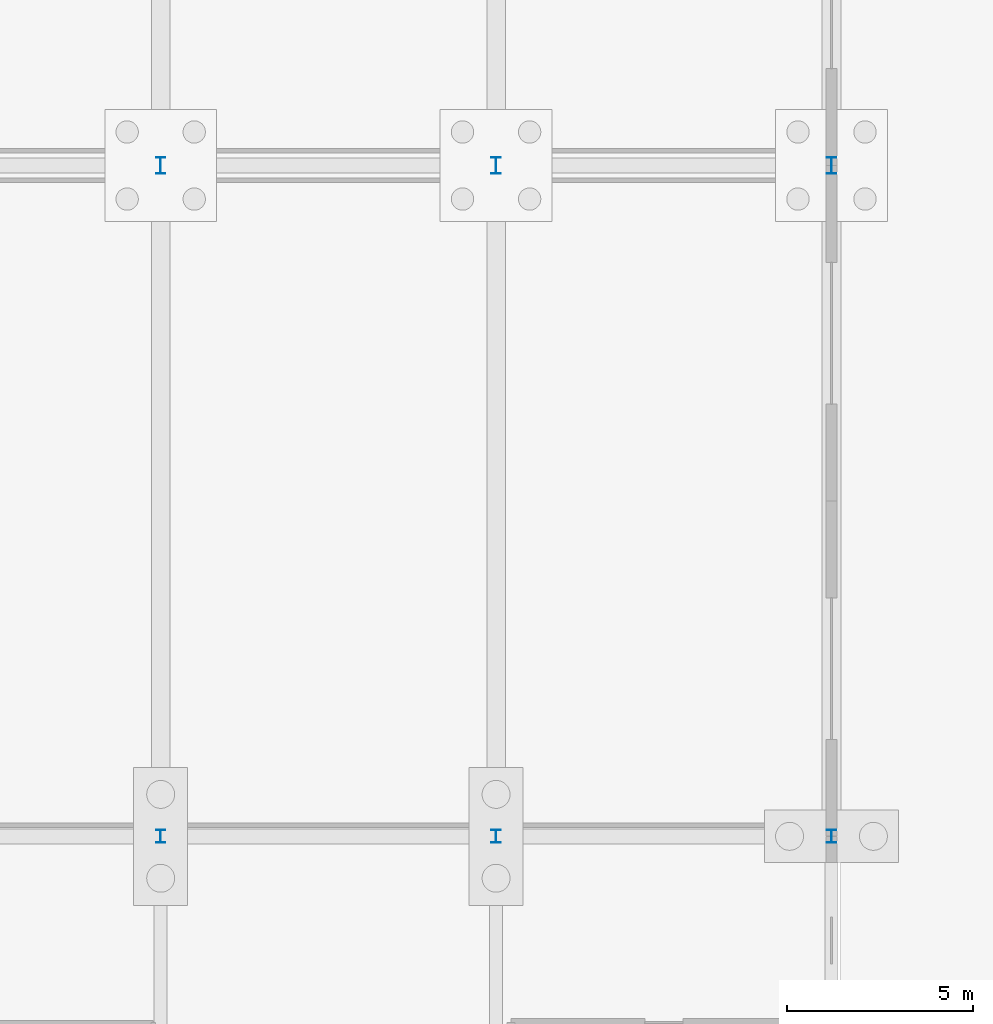
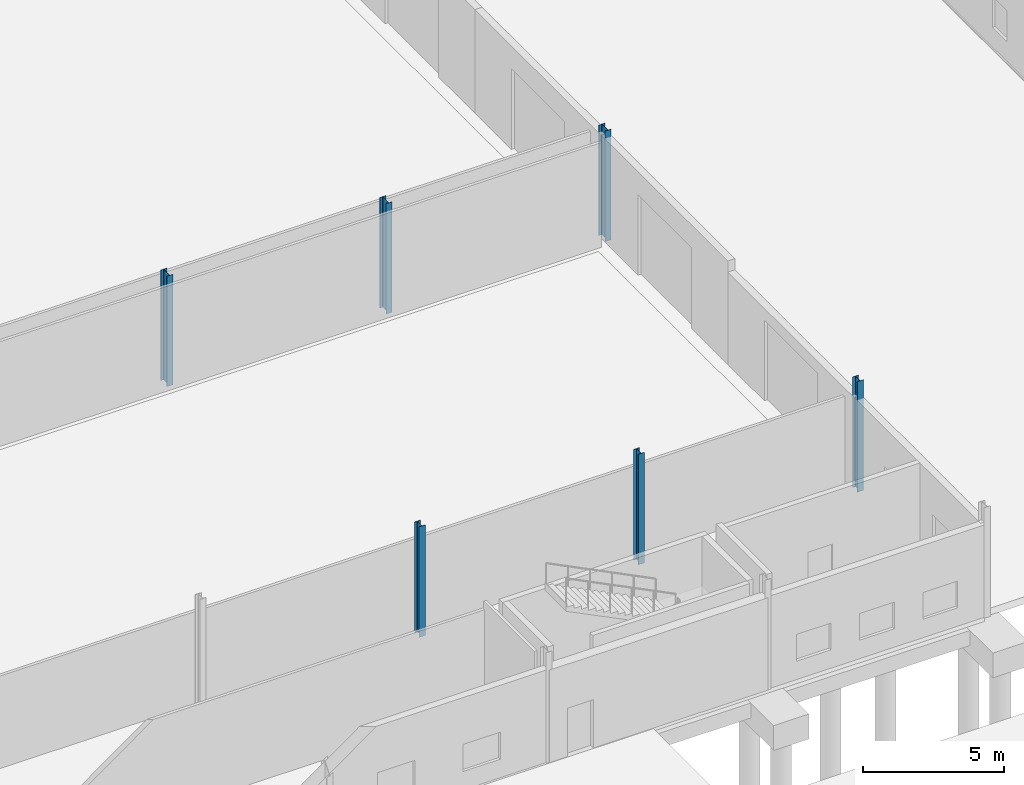
# One storey, part 38 of 112: 6 columns.
"""IFC4 building model written with IfcOpenShell, lengths in metres."""

from ifc_helpers import new_model, si_unit, direction, frame, origin, origin_2d, place, context, subcontext, project, spatial, i_section, extrude, material, material_profile, profile_set, type_object, element, save


model = new_model("IFC4")

# Units and contexts
model_context = context("Model", 3, precision=1e-05, world=origin(), true_north=direction((0.0, 1.0)))
body_context = subcontext(model_context, "Body", "Model", "MODEL_VIEW")
ifc_project = project(units=[si_unit("LENGTHUNIT", "METRE"), si_unit("AREAUNIT", "SQUARE_METRE"), si_unit("VOLUMEUNIT", "CUBIC_METRE"), si_unit("PLANEANGLEUNIT", "RADIAN"), si_unit("MASSUNIT", "GRAM", prefix="KILO")], contexts=[model_context])

# Site, building, storey
site_placement = place(None, origin())
site = spatial("IfcSite", under=ifc_project, at=site_placement, CompositionType="ELEMENT")
building_placement = place(site_placement, origin())
building = spatial("IfcBuilding", under=site, at=building_placement, Name="Tharagai Park Tramway Depot", CompositionType="ELEMENT")
storey_placement = place(building_placement, origin())
storey = spatial("IfcBuildingStorey", under=building, at=storey_placement, Name="L00", CompositionType="ELEMENT", Elevation=0.0)

# Columns
ifc_material = material(Name="Steel E350", Category="steel")
ifc_material_profile_1 = material_profile(ifc_material, i_section(OverallWidth=0.25, OverallDepth=0.449951171875, WebThickness=0.01123046875, FlangeThickness=0.013671875, FilletRadius=0.014892578125, at=origin_2d()), Name="ISHB 450")
ifc_profile_set_1 = profile_set([ifc_material_profile_1], Name="Steel E350")
column_type_1 = type_object("IfcColumnType", Name="CL-01", PredefinedType="COLUMN", material=ifc_profile_set_1)
for number, where, z_axis, x_axis, name in (
    (1, (126.0, 117.0, 0.0), (0.0, 0.0, 1.0), (1.0, 0.0, 0.0), "L00 Structural Column CL-01 (126,117)"),
    (2, (135.0, 117.0, 0.0), (0.0, 0.0, 1.0), (1.0, 0.0, 0.0), "L00 Structural Column CL-01 (135,117)"),
    (3, (144.0, 117.0, 0.0), (0.0, 0.0, 1.0), (1.0, 0.0, 0.0), "L00 Structural Column CL-01 (144,117)"),
):
    element("IfcColumn", number, at=place(storey_placement, frame(where, z_axis=z_axis, x_axis=x_axis)), inside=storey, type_object=column_type_1, Name=name, PredefinedType="COLUMN", context=body_context, shape_type="SweptSolid", body=[
        extrude(i_section(OverallWidth=0.25, OverallDepth=0.449951171875, WebThickness=0.01123046875, FlangeThickness=0.013671875, FilletRadius=0.014892578125, at=origin_2d()), origin(), (0.0, 0.0, 1.0), 4.800048828125),
    ])
ifc_material_profile_2 = material_profile(ifc_material, i_section(OverallWidth=0.25, OverallDepth=0.35009765625, WebThickness=0.010009765625, FlangeThickness=0.01171875, FilletRadius=0.011962890625, at=origin_2d()), Name="ISHB 350")
ifc_profile_set_2 = profile_set([ifc_material_profile_2], Name="Steel E350")
column_type_2 = type_object("IfcColumnType", Name="CL-09", PredefinedType="COLUMN", material=ifc_profile_set_2)
for number, where, z_axis, x_axis, name in (
    (4, (126.0, 99.0, 0.0), (0.0, 0.0, 1.0), (1.0, 0.0, 0.0), "L00 Structural Column CL-09 (126,99)"),
    (5, (135.0, 99.0, 0.0), (0.0, 0.0, 1.0), (1.0, 0.0, 0.0), "L00 Structural Column CL-09 (135,99)"),
    (6, (144.0, 99.0, 0.0), (0.0, 0.0, 1.0), (1.0, 0.0, 0.0), "L00 Structural Column CL-09 (144,99)"),
):
    element("IfcColumn", number, at=place(storey_placement, frame(where, z_axis=z_axis, x_axis=x_axis)), inside=storey, type_object=column_type_2, Name=name, PredefinedType="COLUMN", context=body_context, shape_type="SweptSolid", body=[
        extrude(i_section(OverallWidth=0.25, OverallDepth=0.35009765625, WebThickness=0.010009765625, FlangeThickness=0.01171875, FilletRadius=0.011962890625, at=origin_2d()), origin(), (0.0, 0.0, 1.0), 4.800048828125),
    ])

save(model, "model.ifc")
